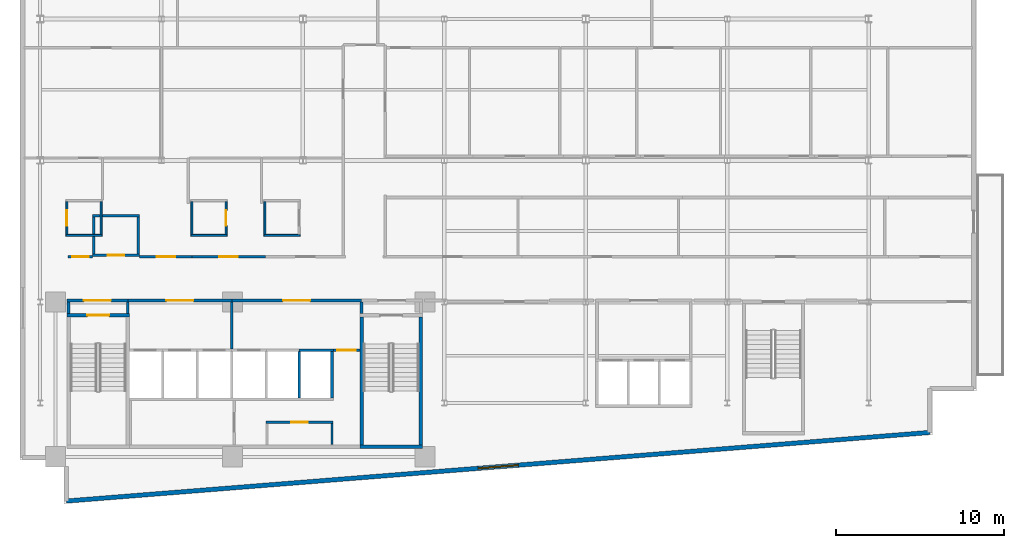
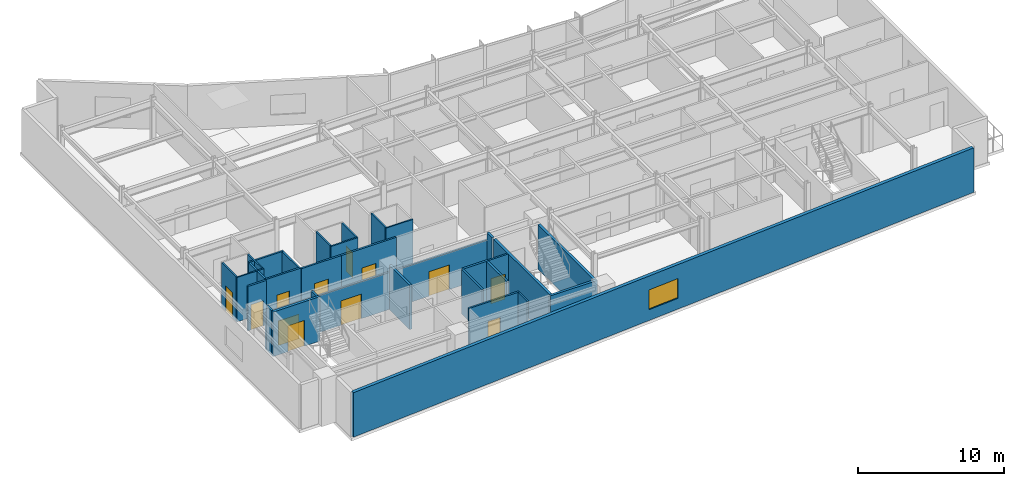
# One storey, part 10 of 18: 33 walls, 12 doors, 1 window, 13 openings.
"""IFC4 building model written with IfcOpenShell, lengths in metres."""

from ifc_helpers import new_model, si_unit, direction, frame, frame_2d, origin, place, context, subcontext, project, spatial, rectangle, extrude, material, layer, layer_set, type_object, element, fill, save


model = new_model("IFC4")

# Units and contexts
model_context = context("Model", 3, precision=1e-05, world=origin(), true_north=direction((0.0, 1.0)))
body_context = subcontext(model_context, "Body", "Model", "MODEL_VIEW")
ifc_project = project(units=[si_unit("LENGTHUNIT", "METRE"), si_unit("AREAUNIT", "SQUARE_METRE"), si_unit("VOLUMEUNIT", "CUBIC_METRE"), si_unit("PLANEANGLEUNIT", "RADIAN"), si_unit("MASSUNIT", "GRAM", prefix="KILO")], contexts=[model_context])

# Site, building, storey
site_placement = place(None, origin())
site = spatial("IfcSite", under=ifc_project, at=site_placement, CompositionType="ELEMENT")
building_placement = place(site_placement, origin())
building = spatial("IfcBuilding", under=site, at=building_placement, Name="Varnakote Quay Hospital", CompositionType="ELEMENT")
storey_placement = place(building_placement, frame((0.0, 0.0, 150.75)))
storey = spatial("IfcBuildingStorey", under=building, at=storey_placement, Name="L37", CompositionType="ELEMENT", Elevation=150.75)

# Wall
ifc_material_1 = material(Name="Fire-rated acoustic gypsum stud wall", Category="gypsum")
ifc_layer_1 = layer(ifc_material_1, 0.159912109375)
ifc_layer_set_1 = layer_set([ifc_layer_1], Name="Fire-rated acoustic gypsum stud wall")
wall_type_1 = type_object("IfcWallType", Name="WL-COMP-160", PredefinedType="PARTITIONING", material=ifc_layer_set_1)
wall_1_placement = place(storey_placement, frame((2.8798828125, 11.300048828125, 0.0), z_axis=(0.0, 0.0, 1.0), x_axis=(0.0, 1.0, 0.0)))
element("IfcWall", 1, at=wall_1_placement, inside=storey, type_object=wall_type_1, Name="L37 West Stair Vestibule West Wall", PredefinedType="PARTITIONING", context=body_context, shape_type="SweptSolid", body=[
    extrude(rectangle(XDim=0.699951171875, YDim=0.159912109375, at=frame_2d((0.35009765625, 0.0))), origin(), (0.0, 0.0, 1.0), 3.7099609375),
])

# Wall, opening, door
wall_2_placement = place(storey_placement, frame((2.800048828125, 12.080078125, 0.0), z_axis=(0.0, 0.0, 1.0), x_axis=(1.0, 0.0, 0.0)))
wall_2 = element("IfcWall", 2, at=wall_2_placement, inside=storey, type_object=wall_type_1, Name="L37 West Stair Vestibule Smoke Wall", PredefinedType="PARTITIONING", context=body_context, shape_type="SweptSolid", body=[
    extrude(rectangle(XDim=3.599853515625, YDim=0.159912109375, at=frame_2d((1.7998046875, 0.0))), origin(), (0.0, 0.0, 1.0), 3.0830078125),
])
opening_1_placement = place(wall_2_placement, frame((1.0, 0.0, 0.0)))
opening_1 = element("IfcOpeningElement", 3, at=opening_1_placement, cuts=wall_2, Name="Opening D-ST1L-L37", PredefinedType="OPENING", context=body_context, shape_type="SweptSolid", body=[
    extrude(rectangle(XDim=1.60009765625, YDim=2.050048828125, at=frame_2d((0.800048828125, 1.02490234375))), frame((0.0, 0.08984375, 0.0), z_axis=(0.0, -1.0, 0.0), x_axis=(1.0, 0.0, 0.0)), (0.0, 0.0, 1.0), 0.179931640625),
])
ifc_material_2 = material(Name="Fire-rated double smoke lobby door")
door_type_1 = type_object("IfcDoorType", Name="DR-LOBBY-FD60S-1600x2150", OperationType="NOTDEFINED", PredefinedType="DOOR", material=ifc_material_2)
door_1_placement = place(opening_1_placement, origin())
door_1 = element("IfcDoor", 4, at=door_1_placement, inside=storey, type_object=door_type_1, Name="L37 West Stair Vestibule Smoke Door", OperationType="DOUBLE_DOOR_SINGLE_SWING", OverallHeight=2.050048828125, OverallWidth=1.60009765625, PredefinedType="DOOR", context=body_context, shape_type="SweptSolid", body=[
    extrude(rectangle(XDim=1.60009765625, YDim=2.050048828125, at=frame_2d((0.800048828125, 1.02490234375))), frame((0.0, 0.02490234375, 0.0), z_axis=(0.0, -1.0, 0.0), x_axis=(1.0, 0.0, 0.0)), (0.0, 0.0, 1.0), 0.050048828125),
])
fill(opening_1, door_1)

# Wall
wall_3_placement = place(storey_placement, frame((6.39990234375, 11.300048828125, 0.0), z_axis=(0.0, 0.0, 1.0), x_axis=(0.0, 1.0, 0.0)))
element("IfcWall", 5, at=wall_3_placement, inside=storey, type_object=wall_type_1, Name="L37 Firefighting Lobby West Wall", PredefinedType="PARTITIONING", context=body_context, shape_type="SweptSolid", body=[
    extrude(rectangle(XDim=0.699951171875, YDim=0.159912109375, at=frame_2d((0.35009765625, 0.0))), origin(), (0.0, 0.0, 1.0), 3.7099609375),
])

# Wall, opening, door
wall_4_placement = place(storey_placement, frame((6.39990234375, 12.080078125, 0.0), z_axis=(0.0, 0.0, 1.0), x_axis=(1.0, 0.0, 0.0)))
wall_4 = element("IfcWall", 6, at=wall_4_placement, inside=storey, type_object=wall_type_1, Name="L37 Firefighting Lift Lobby Compartment Wall", PredefinedType="PARTITIONING", context=body_context, shape_type="SweptSolid", body=[
    extrude(rectangle(XDim=6.18017578125, YDim=0.159912109375, at=frame_2d((3.090087890625, 0.0))), origin(), (0.0, 0.0, 1.0), 3.0830078125),
])
opening_2_placement = place(wall_4_placement, frame((2.2900390625, 0.0, 0.0)))
opening_2 = element("IfcOpeningElement", 7, at=opening_2_placement, cuts=wall_4, Name="Opening D-FFL-L37", PredefinedType="OPENING", context=body_context, shape_type="SweptSolid", body=[
    extrude(rectangle(XDim=1.60009765625, YDim=2.050048828125, at=frame_2d((0.800048828125, 1.02490234375))), frame((0.0, 0.08984375, 0.0), z_axis=(0.0, -1.0, 0.0), x_axis=(1.0, 0.0, 0.0)), (0.0, 0.0, 1.0), 0.179931640625),
])
door_2_placement = place(opening_2_placement, origin())
door_2 = element("IfcDoor", 8, at=door_2_placement, inside=storey, type_object=door_type_1, Name="L37 Firefighting Smoke Vestibule Door", OperationType="DOUBLE_DOOR_SINGLE_SWING", OverallHeight=2.050048828125, OverallWidth=1.60009765625, PredefinedType="DOOR", context=body_context, shape_type="SweptSolid", body=[
    extrude(rectangle(XDim=1.60009765625, YDim=2.050048828125, at=frame_2d((0.800048828125, 1.02490234375))), frame((0.0, 0.02490234375, 0.0), z_axis=(0.0, -1.0, 0.0), x_axis=(1.0, 0.0, 0.0)), (0.0, 0.0, 1.0), 0.050048828125),
])
fill(opening_2, door_2)

# Wall
wall_5_placement = place(storey_placement, frame((12.580078125, 9.2099609375, 0.0), z_axis=(0.0, 0.0, 1.0), x_axis=(0.0, 1.0, 0.0)))
element("IfcWall", 9, at=wall_5_placement, inside=storey, type_object=wall_type_1, Name="L37 Firefighting to Service Lobby Wall", PredefinedType="PARTITIONING", context=body_context, shape_type="SweptSolid", body=[
    extrude(rectangle(XDim=2.7900390625, YDim=0.159912109375, at=frame_2d((1.39501953125, 0.0))), origin(), (0.0, 0.0, 1.0), 3.7099609375),
])

# Wall, opening, door
wall_6_placement = place(storey_placement, frame((12.580078125, 12.080078125, 0.0), z_axis=(0.0, 0.0, 1.0), x_axis=(1.0, 0.0, 0.0)))
wall_6 = element("IfcWall", 10, at=wall_6_placement, inside=storey, type_object=wall_type_1, Name="L37 Clinical Bed Lift Lobby Wall", PredefinedType="PARTITIONING", context=body_context, shape_type="SweptSolid", body=[
    extrude(rectangle(XDim=7.699951171875, YDim=0.159912109375, at=frame_2d((3.85009765625, 0.0))), origin(), (0.0, 0.0, 1.0), 3.0830078125),
])
opening_3_placement = place(wall_6_placement, frame((3.050048828125, 0.0, 0.0)))
opening_3 = element("IfcOpeningElement", 11, at=opening_3_placement, cuts=wall_6, Name="Opening D-SVL-L37", PredefinedType="OPENING", context=body_context, shape_type="SweptSolid", body=[
    extrude(rectangle(XDim=1.60009765625, YDim=2.050048828125, at=frame_2d((0.800048828125, 1.02490234375))), frame((0.0, 0.08984375, 0.0), z_axis=(0.0, -1.0, 0.0), x_axis=(1.0, 0.0, 0.0)), (0.0, 0.0, 1.0), 0.179931640625),
])
door_3_placement = place(opening_3_placement, origin())
door_3 = element("IfcDoor", 12, at=door_3_placement, inside=storey, type_object=door_type_1, Name="L37 Clinical Core Smoke Vestibule Door", OperationType="DOUBLE_DOOR_SINGLE_SWING", OverallHeight=2.050048828125, OverallWidth=1.60009765625, PredefinedType="DOOR", context=body_context, shape_type="SweptSolid", body=[
    extrude(rectangle(XDim=1.60009765625, YDim=2.050048828125, at=frame_2d((0.800048828125, 1.02490234375))), frame((0.0, 0.02490234375, 0.0), z_axis=(0.0, -1.0, 0.0), x_axis=(1.0, 0.0, 0.0)), (0.0, 0.0, 1.0), 0.050048828125),
])
fill(opening_3, door_3)

# Walls
wall_7_placement = place(storey_placement, frame((20.280029296875, 11.300048828125, 0.0), z_axis=(0.0, 0.0, 1.0), x_axis=(0.0, 1.0, 0.0)))
element("IfcWall", 13, at=wall_7_placement, inside=storey, type_object=wall_type_1, Name="L37 East Stair Vestibule Divider Wall", PredefinedType="PARTITIONING", context=body_context, shape_type="SweptSolid", body=[
    extrude(rectangle(XDim=0.699951171875, YDim=0.159912109375, at=frame_2d((0.35009765625, 0.0))), origin(), (0.0, 0.0, 1.0), 3.7099609375),
])
ifc_material_3 = material(Name="Moisture-resistant bathroom partition", Category="gypsum")
ifc_layer_2 = layer(ifc_material_3, 0.114990234375)
ifc_layer_set_2 = layer_set([ifc_layer_2], Name="Moisture-resistant bathroom partition")
wall_type_2 = type_object("IfcWallType", Name="WL-ENS-115", PredefinedType="PARTITIONING", material=ifc_layer_set_2)
wall_8_placement = place(storey_placement, frame((2.72509765625, 15.952392578125, 0.0), z_axis=(0.0, 0.0, 1.0), x_axis=(1.0, 0.0, 0.0)))
element("IfcWall", 14, at=wall_8_placement, inside=storey, type_object=wall_type_2, Name="L37 Inpatient En-Suite Bathroom 01 S Wall", PredefinedType="PARTITIONING", context=body_context, shape_type="SweptSolid", body=[
    extrude(rectangle(XDim=2.14990234375, YDim=0.114990234375, at=frame_2d((1.074951171875, 0.0))), origin(), (0.0, 0.0, 1.0), 3.7099609375),
])

# Wall, opening, door
wall_9_placement = place(storey_placement, frame((2.782470703125, 16.010009765625, 0.0), z_axis=(0.0, 0.0, 1.0), x_axis=(0.0, 1.0, 0.0)))
wall_9 = element("IfcWall", 15, at=wall_9_placement, inside=storey, type_object=wall_type_2, Name="L37 Inpatient En-Suite Bathroom 01 W Wall", PredefinedType="PARTITIONING", context=body_context, shape_type="SweptSolid", body=[
    extrude(rectangle(XDim=1.949951171875, YDim=0.114990234375, at=frame_2d((0.97509765625, 0.0))), origin(), (0.0, 0.0, 1.0), 3.7099609375),
])
opening_4_placement = place(wall_9_placement, frame((0.514892578125, 0.0, 0.0)))
opening_4 = element("IfcOpeningElement", 16, at=opening_4_placement, cuts=wall_9, Name="Opening D-L37-ENS01", PredefinedType="OPENING", context=body_context, shape_type="SweptSolid", body=[
    extrude(rectangle(XDim=0.919921875, YDim=2.10009765625, at=frame_2d((0.4599609375, 1.050048828125))), frame((0.0, 0.0673828125, 0.0), z_axis=(0.0, -1.0, 0.0), x_axis=(1.0, 0.0, 0.0)), (0.0, 0.0, 1.0), 0.135009765625),
])
ifc_material_4 = material(Name="Moisture-sealed en-suite bathroom door")
door_type_2 = type_object("IfcDoorType", Name="DR-ENS-920x2100", OperationType="NOTDEFINED", PredefinedType="DOOR", material=ifc_material_4)
door_4_placement = place(opening_4_placement, origin())
door_4 = element("IfcDoor", 17, at=door_4_placement, inside=storey, type_object=door_type_2, Name="L37 Inpatient En-Suite Bathroom 01 Door", OperationType="SINGLE_SWING_RIGHT", OverallHeight=2.10009765625, OverallWidth=0.919921875, PredefinedType="DOOR", context=body_context, shape_type="SweptSolid", body=[
    extrude(rectangle(XDim=0.919921875, YDim=2.10009765625, at=frame_2d((0.4599609375, 1.050048828125))), frame((0.0, 0.02490234375, 0.0), z_axis=(0.0, -1.0, 0.0), x_axis=(1.0, 0.0, 0.0)), (0.0, 0.0, 1.0), 0.050048828125),
])
fill(opening_4, door_4)

# Walls
wall_10_placement = place(storey_placement, frame((4.8173828125, 16.010009765625, 0.0), z_axis=(0.0, 0.0, 1.0), x_axis=(0.0, 1.0, 0.0)))
element("IfcWall", 18, at=wall_10_placement, inside=storey, type_object=wall_type_2, Name="L37 Inpatient En-Suite Bathroom 01 E Wall", PredefinedType="PARTITIONING", context=body_context, shape_type="SweptSolid", body=[
    extrude(rectangle(XDim=1.949951171875, YDim=0.114990234375, at=frame_2d((0.97509765625, 0.0))), origin(), (0.0, 0.0, 1.0), 3.7099609375),
])
wall_11_placement = place(storey_placement, frame((10.14501953125, 15.952392578125, 0.0), z_axis=(0.0, 0.0, 1.0), x_axis=(1.0, 0.0, 0.0)))
element("IfcWall", 19, at=wall_11_placement, inside=storey, type_object=wall_type_2, Name="L37 Inpatient En-Suite Bathroom 02 S Wall", PredefinedType="PARTITIONING", context=body_context, shape_type="SweptSolid", body=[
    extrude(rectangle(XDim=2.14990234375, YDim=0.114990234375, at=frame_2d((1.074951171875, 0.0))), origin(), (0.0, 0.0, 1.0), 3.7099609375),
])
wall_12_placement = place(storey_placement, frame((10.202392578125, 16.010009765625, 0.0), z_axis=(0.0, 0.0, 1.0), x_axis=(0.0, 1.0, 0.0)))
element("IfcWall", 20, at=wall_12_placement, inside=storey, type_object=wall_type_2, Name="L37 Inpatient En-Suite Bathroom 02 W Wall", PredefinedType="PARTITIONING", context=body_context, shape_type="SweptSolid", body=[
    extrude(rectangle(XDim=1.949951171875, YDim=0.114990234375, at=frame_2d((0.97509765625, 0.0))), origin(), (0.0, 0.0, 1.0), 3.7099609375),
])

# Wall, opening, door
wall_13_placement = place(storey_placement, frame((12.237548828125, 16.010009765625, 0.0), z_axis=(0.0, 0.0, 1.0), x_axis=(0.0, 1.0, 0.0)))
wall_13 = element("IfcWall", 21, at=wall_13_placement, inside=storey, type_object=wall_type_2, Name="L37 Inpatient En-Suite Bathroom 02 E Wall", PredefinedType="PARTITIONING", context=body_context, shape_type="SweptSolid", body=[
    extrude(rectangle(XDim=1.949951171875, YDim=0.114990234375, at=frame_2d((0.97509765625, 0.0))), origin(), (0.0, 0.0, 1.0), 3.7099609375),
])
opening_5_placement = place(wall_13_placement, frame((0.514892578125, 0.0, 0.0)))
opening_5 = element("IfcOpeningElement", 22, at=opening_5_placement, cuts=wall_13, Name="Opening D-L37-ENS02", PredefinedType="OPENING", context=body_context, shape_type="SweptSolid", body=[
    extrude(rectangle(XDim=0.919921875, YDim=2.10009765625, at=frame_2d((0.4599609375, 1.050048828125))), frame((0.0, 0.0673828125, 0.0), z_axis=(0.0, -1.0, 0.0), x_axis=(1.0, 0.0, 0.0)), (0.0, 0.0, 1.0), 0.135009765625),
])
door_5_placement = place(opening_5_placement, origin())
door_5 = element("IfcDoor", 23, at=door_5_placement, inside=storey, type_object=door_type_2, Name="L37 Inpatient En-Suite Bathroom 02 Door", OperationType="SINGLE_SWING_LEFT", OverallHeight=2.10009765625, OverallWidth=0.919921875, PredefinedType="DOOR", context=body_context, shape_type="SweptSolid", body=[
    extrude(rectangle(XDim=0.919921875, YDim=2.10009765625, at=frame_2d((0.4599609375, 1.050048828125))), frame((0.0, 0.02490234375, 0.0), z_axis=(0.0, -1.0, 0.0), x_axis=(1.0, 0.0, 0.0)), (0.0, 0.0, 1.0), 0.050048828125),
])
fill(opening_5, door_5)

# Walls
wall_14_placement = place(storey_placement, frame((14.485107421875, 15.952392578125, 0.0), z_axis=(0.0, 0.0, 1.0), x_axis=(1.0, 0.0, 0.0)))
element("IfcWall", 24, at=wall_14_placement, inside=storey, type_object=wall_type_2, Name="L37 Inpatient En-Suite Bathroom 03 S Wall", PredefinedType="PARTITIONING", context=body_context, shape_type="SweptSolid", body=[
    extrude(rectangle(XDim=2.14990234375, YDim=0.114990234375, at=frame_2d((1.074951171875, 0.0))), origin(), (0.0, 0.0, 1.0), 3.7099609375),
])
wall_15_placement = place(storey_placement, frame((14.54248046875, 16.010009765625, 0.0), z_axis=(0.0, 0.0, 1.0), x_axis=(0.0, 1.0, 0.0)))
element("IfcWall", 25, at=wall_15_placement, inside=storey, type_object=wall_type_2, Name="L37 Inpatient En-Suite Bathroom 03 W Wall", PredefinedType="PARTITIONING", context=body_context, shape_type="SweptSolid", body=[
    extrude(rectangle(XDim=1.949951171875, YDim=0.114990234375, at=frame_2d((0.97509765625, 0.0))), origin(), (0.0, 0.0, 1.0), 3.7099609375),
])

# Wall, opening, window
ifc_material_5 = material(Name="Precast concrete N50 (f'c 50 MPa)", Category="concrete")
ifc_layer_3 = layer(ifc_material_5, 0.260009765625)
ifc_layer_set_3 = layer_set([ifc_layer_3], Name="Precast concrete N50 (f'c 50 MPa)")
wall_type_3 = type_object("IfcWallType", Name="WL-EXT-BRICK-260", PredefinedType="STANDARD", material=ifc_layer_set_3)
wall_16_placement = place(storey_placement, frame((2.760009765625, 0.173095703125, 0.0), z_axis=(0.0, 0.0, 1.0), x_axis=(0.996857931723, 0.079210251617, 0.0)))
wall_16 = element("IfcWall", 26, at=wall_16_placement, inside=storey, type_object=wall_type_3, Name="L37 Brick-Faced Precast Exterior Wall", PredefinedType="STANDARD", context=body_context, shape_type="SweptSolid", body=[
    extrude(rectangle(XDim=51.441650390625, YDim=0.260009765625, at=frame_2d((25.720703125, 0.0))), origin(), (0.0, 0.0, 1.0), 3.7099609375),
])
opening_6_placement = place(wall_16_placement, frame((24.520751953125, 0.0, 0.89990234375)))
opening_6 = element("IfcOpeningElement", 27, at=opening_6_placement, cuts=wall_16, Name="Opening WN-0158", PredefinedType="OPENING", context=body_context, shape_type="SweptSolid", body=[
    extrude(rectangle(XDim=2.39990234375, YDim=1.64990234375, at=frame_2d((1.199951171875, 0.824951171875))), frame((0.0, 0.139892578125, 0.0), z_axis=(0.0, -1.0, 0.0), x_axis=(1.0, 0.0, 0.0)), (0.0, 0.0, 1.0), 0.280029296875),
])
ifc_material_6 = material(Name="Double-glazed low-E solar glass", Category="glass")
window_type = type_object("IfcWindowType", Name="WIN-CLIN-2400x1650", PartitioningType="SINGLE_PANEL", PredefinedType="WINDOW", material=ifc_material_6)
window_placement = place(opening_6_placement, origin())
window = element("IfcWindow", 28, at=window_placement, inside=storey, type_object=window_type, Name="L37 Solar-Control Clinical Window", OverallHeight=1.64990234375, OverallWidth=2.39990234375, PartitioningType="SINGLE_PANEL", PredefinedType="WINDOW", context=body_context, shape_type="SweptSolid", body=[
    extrude(rectangle(XDim=2.39990234375, YDim=1.64990234375, at=frame_2d((1.199951171875, 0.824951171875))), frame((0.0, 0.030029296875, 0.0), z_axis=(0.0, -1.0, 0.0), x_axis=(1.0, 0.0, 0.0)), (0.0, 0.0, 1.0), 0.06005859375),
])
fill(opening_6, window)

# Walls
ifc_material_7 = material(Name="Concrete N50 (f'c 50 MPa)", Category="concrete")
ifc_layer_4 = layer(ifc_material_7, 0.14990234375)
ifc_layer_set_4 = layer_set([ifc_layer_4], Name="Concrete N50 (f'c 50 MPa)")
wall_type_4 = type_object("IfcWallType", Name="WL-SHAFT-N50-150", PredefinedType="SHEAR", material=ifc_layer_set_4)
wall_17_placement = place(storey_placement, frame((16.574951171875, 6.300048828125, 0.0), z_axis=(0.0, 0.0, 1.0), x_axis=(0.0, 1.0, 0.0)))
element("IfcWall", 29, at=wall_17_placement, inside=storey, type_object=wall_type_4, Name="L37 LF-PH1 Hoistway Divider Wall", PredefinedType="SHEAR", context=body_context, shape_type="SweptSolid", body=[
    extrude(rectangle(XDim=2.75, YDim=0.14990234375, at=frame_2d((1.375, 0.0))), origin(), (0.0, 0.0, 1.0), 3.7099609375),
])
ifc_material_8 = material(Name="Concrete N50 (f'c 50 MPa)", Category="concrete")
ifc_layer_5 = layer(ifc_material_8, 0.159912109375)
ifc_layer_set_5 = layer_set([ifc_layer_5], Name="Concrete N50 (f'c 50 MPa)")
wall_type_5 = type_object("IfcWallType", Name="WL-SHAFT-N50-160", PredefinedType="SHEAR", material=ifc_layer_set_5)
wall_18_placement = place(storey_placement, frame((18.530029296875, 6.300048828125, 0.0), z_axis=(0.0, 0.0, 1.0), x_axis=(0.0, 1.0, 0.0)))
element("IfcWall", 30, at=wall_18_placement, inside=storey, type_object=wall_type_5, Name="L37 REAR Lift Bank East Shear Wall", PredefinedType="SHEAR", context=body_context, shape_type="SweptSolid", body=[
    extrude(rectangle(XDim=2.75, YDim=0.159912109375, at=frame_2d((1.375, 0.0))), origin(), (0.0, 0.0, 1.0), 3.7099609375),
])
wall_19_placement = place(storey_placement, frame((16.574951171875, 9.1298828125, 0.0), z_axis=(0.0, 0.0, 1.0), x_axis=(1.0, 0.0, 0.0)))
element("IfcWall", 31, at=wall_19_placement, inside=storey, type_object=wall_type_5, Name="L37 LF-PH2 Hoistway Front Wall", PredefinedType="SHEAR", context=body_context, shape_type="SweptSolid", body=[
    extrude(rectangle(XDim=2.03515625, YDim=0.159912109375, at=frame_2d((1.017578125, 0.0))), origin(), (0.0, 0.0, 1.0), 3.7099609375),
])

# Wall, opening, door
ifc_material_9 = material(Name="Concrete N50 (f'c 50 MPa)", Category="concrete")
ifc_layer_6 = layer(ifc_material_9, 0.199951171875)
ifc_layer_set_6 = layer_set([ifc_layer_6], Name="Concrete N50 (f'c 50 MPa)")
wall_type_6 = type_object("IfcWallType", Name="WL-SHAFT-N50-200", PredefinedType="SHEAR", material=ifc_layer_set_6)
wall_20_placement = place(storey_placement, frame((2.800048828125, 11.199951171875, 0.0), z_axis=(0.0, 0.0, 1.0), x_axis=(1.0, 0.0, 0.0)))
wall_20 = element("IfcWall", 32, at=wall_20_placement, inside=storey, type_object=wall_type_6, Name="L37 Stair ST1 Exit Wall", PredefinedType="SHEAR", context=body_context, shape_type="SweptSolid", body=[
    extrude(rectangle(XDim=3.699951171875, YDim=0.199951171875, at=frame_2d((1.85009765625, 0.0))), origin(), (0.0, 0.0, 1.0), 3.7099609375),
])
opening_7_placement = place(wall_20_placement, frame((1.199951171875, 0.0, 0.0)))
opening_7 = element("IfcOpeningElement", 33, at=opening_7_placement, cuts=wall_20, Name="Opening D-ST1-L37", PredefinedType="OPENING", context=body_context, shape_type="SweptSolid", body=[
    extrude(rectangle(XDim=1.300048828125, YDim=2.14990234375, at=frame_2d((0.64990234375, 1.074951171875))), frame((0.0, 0.10986328125, 0.0), z_axis=(0.0, -1.0, 0.0), x_axis=(1.0, 0.0, 0.0)), (0.0, 0.0, 1.0), 0.219970703125),
])
ifc_material_10 = material(Name="Fire-rated ceramic-glazed timber exit door", Category="wood")
door_type_3 = type_object("IfcDoorType", Name="DR-STAIR-FD60S-1300x2150", OperationType="NOTDEFINED", PredefinedType="DOOR", material=ifc_material_10)
door_6_placement = place(opening_7_placement, origin())
door_6 = element("IfcDoor", 34, at=door_6_placement, inside=storey, type_object=door_type_3, Name="L37 Stair ST1 Fire Exit Door", OperationType="SINGLE_SWING_LEFT", OverallHeight=2.14990234375, OverallWidth=1.300048828125, PredefinedType="DOOR", context=body_context, shape_type="SweptSolid", body=[
    extrude(rectangle(XDim=1.300048828125, YDim=2.14990234375, at=frame_2d((0.64990234375, 1.074951171875))), frame((0.0, 0.02490234375, 0.0), z_axis=(0.0, -1.0, 0.0), x_axis=(1.0, 0.0, 0.0)), (0.0, 0.0, 1.0), 0.050048828125),
])
fill(opening_7, door_6)

# Walls
wall_21_placement = place(storey_placement, frame((20.199951171875, 3.39990234375, 0.0), z_axis=(0.0, 0.0, 1.0), x_axis=(1.0, 0.0, 0.0)))
element("IfcWall", 35, at=wall_21_placement, inside=storey, type_object=wall_type_6, Name="L37 Stair ST2 South Shaft Wall", PredefinedType="SHEAR", context=body_context, shape_type="SweptSolid", body=[
    extrude(rectangle(XDim=3.699951171875, YDim=0.199951171875, at=frame_2d((1.85009765625, 0.0))), origin(), (0.0, 0.0, 1.0), 3.7099609375),
])
for number, where, z_axis, x_axis, name in (
    (36, (20.300048828125, 3.5, 0.0), (0.0, 0.0, 1.0), (0.0, 1.0, 0.0), "L37 Stair ST2 West Shaft Wall"),
    (37, (23.800048828125, 3.5, 0.0), (0.0, 0.0, 1.0), (0.0, 1.0, 0.0), "L37 Stair ST2 East Shaft Wall"),
):
    element("IfcWall", number, at=place(storey_placement, frame(where, z_axis=z_axis, x_axis=x_axis)), inside=storey, type_object=wall_type_6, Name=name, PredefinedType="SHEAR", context=body_context, shape_type="SweptSolid", body=[
        extrude(rectangle(XDim=7.60009765625, YDim=0.199951171875, at=frame_2d((3.800048828125, 0.0))), origin(), (0.0, 0.0, 1.0), 3.7099609375),
    ])
ifc_material_11 = material(Name="Smoke-proof clinical partition", Category="gypsum")
ifc_layer_7 = layer(ifc_material_11, 0.1201171875)
ifc_layer_set_7 = layer_set([ifc_layer_7], Name="Smoke-proof clinical partition")
wall_type_7 = type_object("IfcWallType", Name="WL-SMOKE-120", PredefinedType="PARTITIONING", material=ifc_layer_set_7)
wall_22_placement = place(storey_placement, frame((18.5400390625, 3.52001953125, 0.0), z_axis=(0.0, 0.0, 1.0), x_axis=(0.0, 1.0, 0.0)))
element("IfcWall", 38, at=wall_22_placement, inside=storey, type_object=wall_type_7, Name="L37 Core WC East Wall", PredefinedType="PARTITIONING", context=body_context, shape_type="SweptSolid", body=[
    extrude(rectangle(XDim=1.260009765625, YDim=0.1201171875, at=frame_2d((0.6298828125, 0.0))), origin(), (0.0, 0.0, 1.0), 3.7099609375),
])

# Wall, opening, door
ifc_material_12 = material(Name="Fire-rated clinical gypsum partition", Category="gypsum")
ifc_layer_8 = layer(ifc_material_12, 0.139892578125)
ifc_layer_set_8 = layer_set([ifc_layer_8], Name="Fire-rated clinical gypsum partition")
wall_type_8 = type_object("IfcWallType", Name="WL-WARD-140", PredefinedType="PARTITIONING", material=ifc_layer_set_8)
wall_23_placement = place(storey_placement, frame((14.60009765625, 4.85009765625, 0.0), z_axis=(0.0, 0.0, 1.0), x_axis=(1.0, 0.0, 0.0)))
wall_23 = element("IfcWall", 39, at=wall_23_placement, inside=storey, type_object=wall_type_8, Name="L37 Core Staff Sanitary WC North Wall", PredefinedType="PARTITIONING", context=body_context, shape_type="SweptSolid", body=[
    extrude(rectangle(XDim=4.0, YDim=0.139892578125, at=frame_2d((2.0, 0.0))), origin(), (0.0, 0.0, 1.0), 3.7099609375),
])
opening_8_placement = place(wall_23_placement, frame((1.510009765625, 0.0, 0.0)))
opening_8 = element("IfcOpeningElement", 40, at=opening_8_placement, cuts=wall_23, Name="Opening D-L37-CR02", PredefinedType="OPENING", context=body_context, shape_type="SweptSolid", body=[
    extrude(rectangle(XDim=0.97998046875, YDim=2.10009765625, at=frame_2d((0.489990234375, 1.050048828125))), frame((0.0, 0.079833984375, 0.0), z_axis=(0.0, -1.0, 0.0), x_axis=(1.0, 0.0, 0.0)), (0.0, 0.0, 1.0), 0.159912109375),
])
ifc_material_13 = material(Name="Accessible sanitary compartment door")
door_type_4 = type_object("IfcDoorType", Name="DR-WC-980x2100", OperationType="NOTDEFINED", PredefinedType="DOOR", material=ifc_material_13)
door_7_placement = place(opening_8_placement, origin())
door_7 = element("IfcDoor", 41, at=door_7_placement, inside=storey, type_object=door_type_4, Name="L37 Core Staff Sanitary WC Door", OperationType="SINGLE_SWING_LEFT", OverallHeight=2.10009765625, OverallWidth=0.97998046875, PredefinedType="DOOR", context=body_context, shape_type="SweptSolid", body=[
    extrude(rectangle(XDim=0.97998046875, YDim=2.10009765625, at=frame_2d((0.489990234375, 1.050048828125))), frame((0.0, 0.02490234375, 0.0), z_axis=(0.0, -1.0, 0.0), x_axis=(1.0, 0.0, 0.0)), (0.0, 0.0, 1.0), 0.050048828125),
])
fill(opening_8, door_7)

wall_24_placement = place(storey_placement, frame((18.610107421875, 9.1298828125, 0.0), z_axis=(0.0, 0.0, 1.0), x_axis=(1.0, 0.0, 0.0)))
wall_24 = element("IfcWall", 42, at=wall_24_placement, inside=storey, type_object=wall_type_8, Name="L37 Core Service Corridor North Door Wall", PredefinedType="PARTITIONING", context=body_context, shape_type="SweptSolid", body=[
    extrude(rectangle(XDim=1.58984375, YDim=0.139892578125, at=frame_2d((0.794921875, 0.0))), origin(), (0.0, 0.0, 1.0), 3.7099609375),
])
opening_9_placement = place(wall_24_placement, frame((0.239990234375, 0.0, 0.0)))
opening_9 = element("IfcOpeningElement", 43, at=opening_9_placement, cuts=wall_24, Name="Opening D-CSRV-L37", PredefinedType="OPENING", context=body_context, shape_type="SweptSolid", body=[
    extrude(rectangle(XDim=1.10009765625, YDim=2.10009765625, at=frame_2d((0.550048828125, 1.050048828125))), frame((0.0, 0.079833984375, 0.0), z_axis=(0.0, -1.0, 0.0), x_axis=(1.0, 0.0, 0.0)), (0.0, 0.0, 1.0), 0.159912109375),
])
ifc_material_14 = material(Name="Acoustic timber clinical consult door", Category="wood")
door_type_5 = type_object("IfcDoorType", Name="DR-CLIN-FD30S-1100x2100", OperationType="NOTDEFINED", PredefinedType="DOOR", material=ifc_material_14)
door_8_placement = place(opening_9_placement, origin())
door_8 = element("IfcDoor", 44, at=door_8_placement, inside=storey, type_object=door_type_5, Name="L37 Core Service Corridor Door", OperationType="SINGLE_SWING_RIGHT", OverallHeight=2.10009765625, OverallWidth=1.10009765625, PredefinedType="DOOR", context=body_context, shape_type="SweptSolid", body=[
    extrude(rectangle(XDim=1.10009765625, YDim=2.10009765625, at=frame_2d((0.550048828125, 1.050048828125))), frame((0.0, 0.02490234375, 0.0), z_axis=(0.0, -1.0, 0.0), x_axis=(1.0, 0.0, 0.0)), (0.0, 0.0, 1.0), 0.050048828125),
])
fill(opening_9, door_8)

wall_25_placement = place(storey_placement, frame((4.31005859375, 14.77001953125, 0.0), z_axis=(0.0, 0.0, 1.0), x_axis=(1.0, 0.0, 0.0)))
wall_25 = element("IfcWall", 45, at=wall_25_placement, inside=storey, type_object=wall_type_8, Name="L37 Floor Unisex Accessible WC S Wall", PredefinedType="PARTITIONING", context=body_context, shape_type="SweptSolid", body=[
    extrude(rectangle(XDim=2.780029296875, YDim=0.139892578125, at=frame_2d((1.39013671875, 0.0))), origin(), (0.0, 0.0, 1.0), 3.7099609375),
])
opening_10_placement = place(wall_25_placement, frame((0.89990234375, 0.0, 0.0)))
opening_10 = element("IfcOpeningElement", 46, at=opening_10_placement, cuts=wall_25, Name="Opening D-L37-EW01", PredefinedType="OPENING", context=body_context, shape_type="SweptSolid", body=[
    extrude(rectangle(XDim=0.97998046875, YDim=2.10009765625, at=frame_2d((0.489990234375, 1.050048828125))), frame((0.0, 0.079833984375, 0.0), z_axis=(0.0, -1.0, 0.0), x_axis=(1.0, 0.0, 0.0)), (0.0, 0.0, 1.0), 0.159912109375),
])
door_9_placement = place(opening_10_placement, origin())
door_9 = element("IfcDoor", 47, at=door_9_placement, inside=storey, type_object=door_type_4, Name="L37 Floor Unisex Accessible WC Door", OperationType="SINGLE_SWING_LEFT", OverallHeight=2.10009765625, OverallWidth=0.97998046875, PredefinedType="DOOR", context=body_context, shape_type="SweptSolid", body=[
    extrude(rectangle(XDim=0.97998046875, YDim=2.10009765625, at=frame_2d((0.489990234375, 1.050048828125))), frame((0.0, 0.02490234375, 0.0), z_axis=(0.0, -1.0, 0.0), x_axis=(1.0, 0.0, 0.0)), (0.0, 0.0, 1.0), 0.050048828125),
])
fill(opening_10, door_9)

# Walls
wall_26_placement = place(storey_placement, frame((4.31005859375, 17.110107421875, 0.0), z_axis=(0.0, 0.0, 1.0), x_axis=(1.0, 0.0, 0.0)))
element("IfcWall", 48, at=wall_26_placement, inside=storey, type_object=wall_type_8, Name="L37 Floor Unisex Accessible WC N Wall", PredefinedType="PARTITIONING", context=body_context, shape_type="SweptSolid", body=[
    extrude(rectangle(XDim=2.780029296875, YDim=0.139892578125, at=frame_2d((1.39013671875, 0.0))), origin(), (0.0, 0.0, 1.0), 3.7099609375),
])
for number, where, z_axis, x_axis, name in (
    (49, (4.3798828125, 14.840087890625, 0.0), (0.0, 0.0, 1.0), (0.0, 1.0, 0.0), "L37 Floor Unisex Accessible WC W Wall"),
    (50, (7.02001953125, 14.840087890625, 0.0), (0.0, 0.0, 1.0), (0.0, 1.0, 0.0), "L37 Floor Unisex Accessible WC E Wall"),
):
    element("IfcWall", number, at=place(storey_placement, frame(where, z_axis=z_axis, x_axis=x_axis)), inside=storey, type_object=wall_type_8, Name=name, PredefinedType="PARTITIONING", context=body_context, shape_type="SweptSolid", body=[
        extrude(rectangle(XDim=2.199951171875, YDim=0.139892578125, at=frame_2d((1.10009765625, 0.0))), origin(), (0.0, 0.0, 1.0), 3.7099609375),
    ])

# Wall, opening, door
ifc_material_15 = material(Name="Fire-rated clinical gypsum partition", Category="gypsum")
ifc_layer_9 = layer(ifc_material_15, 0.14990234375)
ifc_layer_set_9 = layer_set([ifc_layer_9], Name="Fire-rated clinical gypsum partition")
wall_type_9 = type_object("IfcWallType", Name="WL-WARD-150", PredefinedType="PARTITIONING", material=ifc_layer_set_9)
wall_27_placement = place(storey_placement, frame((4.30810546875, 14.679931640625, 0.0), z_axis=(0.0, 0.0, 1.0), x_axis=(-1.0, 0.0, 0.0)))
wall_27 = element("IfcWall", 51, at=wall_27_placement, inside=storey, type_object=wall_type_9, Name="L37 Clinical Interior Partition", PredefinedType="PARTITIONING", context=body_context, shape_type="SweptSolid", body=[
    extrude(rectangle(XDim=1.4580078125, YDim=0.14990234375, at=frame_2d((0.72900390625, 0.0))), origin(), (0.0, 0.0, 1.0), 3.7099609375),
])
opening_11_placement = place(wall_27_placement, frame((0.239013671875, 0.0, 0.0)))
opening_11 = element("IfcOpeningElement", 52, at=opening_11_placement, cuts=wall_27, Name="Opening D-L37-BR01", PredefinedType="OPENING", context=body_context, shape_type="SweptSolid", body=[
    extrude(rectangle(XDim=0.97998046875, YDim=2.10009765625, at=frame_2d((0.489990234375, 1.050048828125))), frame((0.0, 0.0849609375, 0.0), z_axis=(0.0, -1.0, 0.0), x_axis=(1.0, 0.0, 0.0)), (0.0, 0.0, 1.0), 0.169921875),
])
door_10_placement = place(opening_11_placement, origin())
door_10 = element("IfcDoor", 53, at=door_10_placement, inside=storey, type_object=door_type_4, Name="L37 Inpatient Clinical Treatment Room 01 Door", OperationType="SINGLE_SWING_LEFT", OverallHeight=2.10009765625, OverallWidth=0.97998046875, PredefinedType="DOOR", context=body_context, shape_type="SweptSolid", body=[
    extrude(rectangle(XDim=0.97998046875, YDim=2.10009765625, at=frame_2d((0.489990234375, 1.050048828125))), frame((0.0, 0.02490234375, 0.0), z_axis=(0.0, -1.0, 0.0), x_axis=(1.0, 0.0, 0.0)), (0.0, 0.0, 1.0), 0.050048828125),
])
fill(opening_11, door_10)

wall_28_placement = place(storey_placement, frame((10.22607421875, 14.679931640625, 0.0), z_axis=(0.0, 0.0, 1.0), x_axis=(-1.0, 0.0, 0.0)))
wall_28 = element("IfcWall", 54, at=wall_28_placement, inside=storey, type_object=wall_type_9, Name="L37 Clinical Interior Partition", PredefinedType="PARTITIONING", context=body_context, shape_type="SweptSolid", body=[
    extrude(rectangle(XDim=3.134033203125, YDim=0.14990234375, at=frame_2d((1.56689453125, 0.0))), origin(), (0.0, 0.0, 1.0), 3.7099609375),
])
opening_12_placement = place(wall_28_placement, frame((1.01708984375, 0.0, 0.0)))
opening_12 = element("IfcOpeningElement", 55, at=opening_12_placement, cuts=wall_28, Name="Opening D-L37-MD01", PredefinedType="OPENING", context=body_context, shape_type="SweptSolid", body=[
    extrude(rectangle(XDim=1.10009765625, YDim=2.10009765625, at=frame_2d((0.550048828125, 1.050048828125))), frame((0.0, 0.0849609375, 0.0), z_axis=(0.0, -1.0, 0.0), x_axis=(1.0, 0.0, 0.0)), (0.0, 0.0, 1.0), 0.169921875),
])
door_11_placement = place(opening_12_placement, origin())
door_11 = element("IfcDoor", 56, at=door_11_placement, inside=storey, type_object=door_type_5, Name="L37 Patient Restorative Dining Room Door", OperationType="SINGLE_SWING_RIGHT", OverallHeight=2.10009765625, OverallWidth=1.10009765625, PredefinedType="DOOR", context=body_context, shape_type="SweptSolid", body=[
    extrude(rectangle(XDim=1.10009765625, YDim=2.10009765625, at=frame_2d((0.550048828125, 1.050048828125))), frame((0.0, 0.02490234375, 0.0), z_axis=(0.0, -1.0, 0.0), x_axis=(1.0, 0.0, 0.0)), (0.0, 0.0, 1.0), 0.050048828125),
])
fill(opening_12, door_11)

wall_29_placement = place(storey_placement, frame((14.56591796875, 14.679931640625, 0.0), z_axis=(0.0, 0.0, 1.0), x_axis=(-1.0, 0.0, 0.0)))
wall_29 = element("IfcWall", 57, at=wall_29_placement, inside=storey, type_object=wall_type_9, Name="L37 Clinical Interior Partition", PredefinedType="PARTITIONING", context=body_context, shape_type="SweptSolid", body=[
    extrude(rectangle(XDim=4.337890625, YDim=0.14990234375, at=frame_2d((2.1689453125, 0.0))), origin(), (0.0, 0.0, 1.0), 3.7099609375),
])
opening_13_placement = place(wall_29_placement, frame((1.618896484375, 0.0, 0.0)))
opening_13 = element("IfcOpeningElement", 58, at=opening_13_placement, cuts=wall_29, Name="Opening D-L37-BR02", PredefinedType="OPENING", context=body_context, shape_type="SweptSolid", body=[
    extrude(rectangle(XDim=1.10009765625, YDim=2.10009765625, at=frame_2d((0.550048828125, 1.050048828125))), frame((0.0, 0.0849609375, 0.0), z_axis=(0.0, -1.0, 0.0), x_axis=(1.0, 0.0, 0.0)), (0.0, 0.0, 1.0), 0.169921875),
])
door_12_placement = place(opening_13_placement, origin())
door_12 = element("IfcDoor", 59, at=door_12_placement, inside=storey, type_object=door_type_5, Name="L37 Inpatient Clinical Treatment Room 02 Door", OperationType="SINGLE_SWING_LEFT", OverallHeight=2.10009765625, OverallWidth=1.10009765625, PredefinedType="DOOR", context=body_context, shape_type="SweptSolid", body=[
    extrude(rectangle(XDim=1.10009765625, YDim=2.10009765625, at=frame_2d((0.550048828125, 1.050048828125))), frame((0.0, 0.02490234375, 0.0), z_axis=(0.0, -1.0, 0.0), x_axis=(1.0, 0.0, 0.0)), (0.0, 0.0, 1.0), 0.050048828125),
])
fill(opening_13, door_12)

save(model, "model.ifc")
